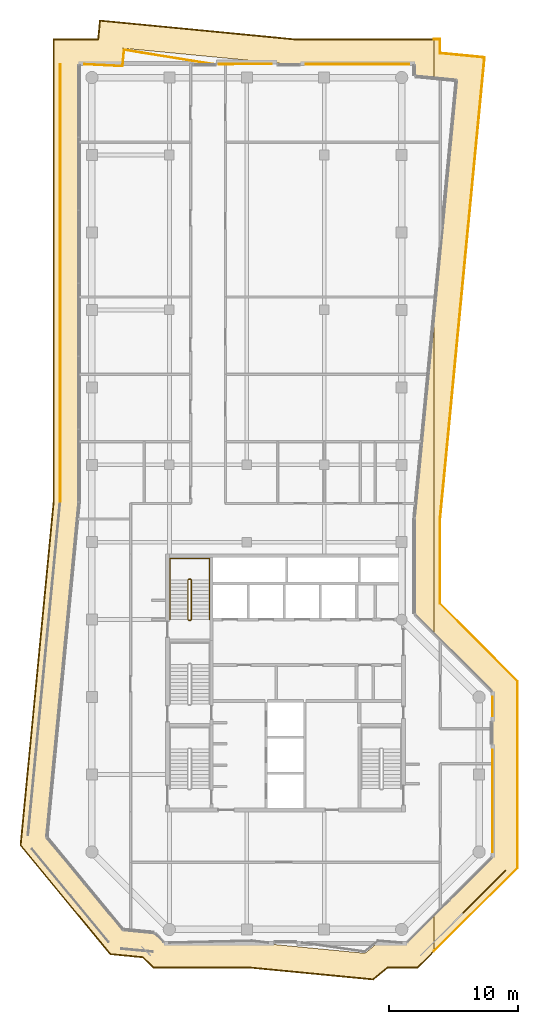
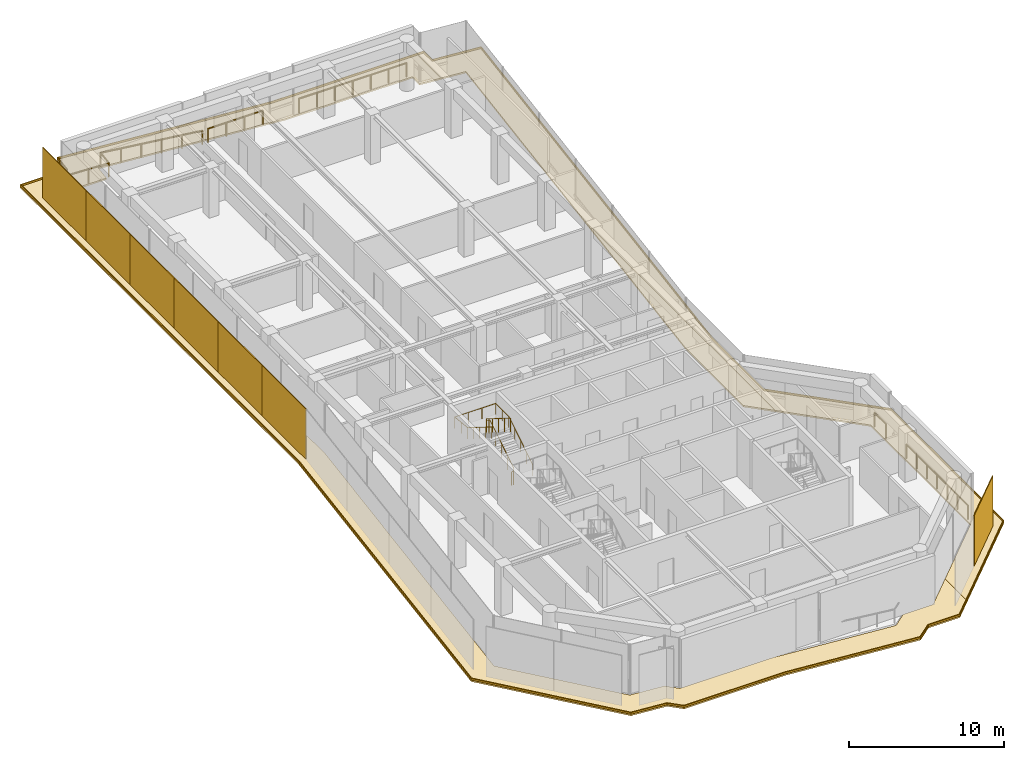
# One storey, part 25 of 25: 12 coverings, 7 railings.
"""IFC4 building model written with IfcOpenShell, lengths in metres."""

from ifc_helpers import new_model, si_unit, direction, frame, origin, origin_2d, place, context, subcontext, project, spatial, polyline, rectangle, circle, outline, extrude, material, layer, layer_set, type_object, element, save


model = new_model("IFC4")

# Units and contexts
model_context = context("Model", 3, precision=1e-05, world=origin(), true_north=direction((0.0, 1.0)))
body_context = subcontext(model_context, "Body", "Model", "MODEL_VIEW")
ifc_project = project(units=[si_unit("LENGTHUNIT", "METRE"), si_unit("AREAUNIT", "SQUARE_METRE"), si_unit("VOLUMEUNIT", "CUBIC_METRE"), si_unit("PLANEANGLEUNIT", "RADIAN"), si_unit("MASSUNIT", "GRAM", prefix="KILO")], contexts=[model_context])

# Site, building, storey
site_placement = place(None, origin())
site = spatial("IfcSite", under=ifc_project, at=site_placement, CompositionType="ELEMENT")
building_placement = place(site_placement, origin())
building = spatial("IfcBuilding", under=site, at=building_placement, Name="Welwitschia Terrace Campus", CompositionType="ELEMENT")
storey_placement = place(building_placement, frame((0.0, 0.0, 264.199951171875)))
storey = spatial("IfcBuildingStorey", under=building, at=storey_placement, Name="L58", CompositionType="ELEMENT", Elevation=264.199951171875)

# Coverings
ifc_material_1 = material(Name="Bronze mesh aluminium screen", Category="aluminium")
ifc_layer_1 = layer(ifc_material_1, 0.06005859375)
ifc_layer_set_1 = layer_set([ifc_layer_1], Name="Bronze mesh aluminium screen")
covering_type_1 = type_object("IfcCoveringType", Name="Bronze screen 60", PredefinedType="USERDEFINED", material=ifc_layer_set_1)
for number, where, z_axis, x_axis, name in (
    (1, (-2.4599609375, 60.203125, 0.0), (0.0, 0.0, 1.0), (0.0, -1.0, 0.0), "Screen L58.0.0"),
    (2, (-2.4599609375, 54.5498046875, 0.0), (0.0, 0.0, 1.0), (0.0, -1.0, 0.0), "Screen L58.0.1"),
    (3, (-2.4599609375, 48.89599609375, 0.0), (0.0, 0.0, 1.0), (0.0, -1.0, 0.0), "Screen L58.0.2"),
    (4, (-2.4599609375, 43.24267578125, 0.0), (0.0, 0.0, 1.0), (0.0, -1.0, 0.0), "Screen L58.0.3"),
    (5, (-2.4599609375, 37.589111328125, 0.0), (0.0, 0.0, 1.0), (0.0, -1.0, 0.0), "Screen L58.0.4"),
    (6, (-2.4599609375, 31.935546875, 0.0), (0.0, 0.0, 1.0), (0.0, -1.0, 0.0), "Screen L58.0.5"),
):
    element("IfcCovering", number, at=place(storey_placement, frame(where, z_axis=z_axis, x_axis=x_axis)), inside=storey, type_object=covering_type_1, Name=name, ObjectType="SCREEN", PredefinedType="USERDEFINED", context=body_context, shape_type="SweptSolid", body=[
        extrude(rectangle(XDim=5.633544921875, YDim=0.06005859375, at=origin_2d()), origin(), (0.0, 0.0, 1.0), 3.949951171875),
    ])
covering_1_placement = place(storey_placement, frame((30.390380859375, -1.088623046875, 0.0), z_axis=(0.0, 0.0, 1.0), x_axis=(0.707106781187, 0.707106781187, 0.0)))
element("IfcCovering", 7, at=covering_1_placement, inside=storey, type_object=covering_type_1, Name="Screen L58.6.1", ObjectType="SCREEN", PredefinedType="USERDEFINED", context=body_context, shape_type="SweptSolid", body=[
    extrude(rectangle(XDim=4.6494140625, YDim=0.06005859375, at=origin_2d()), origin(), (0.0, 0.0, 1.0), 3.949951171875),
])

# Railings
ifc_material_2 = material(Name="Stainless steel grade 316", Category="steel")
railing_type_1 = type_object("IfcRailingType", Name="Guard 1100", PredefinedType="GUARDRAIL", material=ifc_material_2)
railing_1_placement = place(storey_placement, frame((-0.580078125, 63.030029296875, 0.0)))
element("IfcRailing", 8, at=railing_1_placement, inside=storey, type_object=railing_type_1, Name="Guard floor edge L58.0", PredefinedType="GUARDRAIL", context=body_context, shape_type="SweptSolid", body=[
    extrude(circle(Radius=0.02392578125, at=origin_2d()), frame((0.0, 0.0, 1.076171875), z_axis=(0.998709556409, -0.05078604078, 0.0), x_axis=(0.05078604078, 0.998709556409, 0.0)), (0.0, 0.0, 1.0), 2.95654296875),
    extrude(circle(Radius=0.02392578125, at=origin_2d()), frame((2.95263671875, -0.150146484375, 1.076171875), z_axis=(0.095869821725, 0.995393880473, 0.0), x_axis=(-0.995393880473, 0.095869821725, 0.0)), (0.0, 0.0, 1.0), 1.270751953125),
    extrude(circle(Radius=0.02392578125, at=origin_2d()), frame((3.074462890625, 1.11474609375, 1.076171875), z_axis=(0.987214375663, -0.159398169641, 0.0), x_axis=(0.159398169641, 0.987214375663, 0.0)), (0.0, 0.0, 1.0), 6.993408203125),
    extrude(circle(Radius=0.02099609375, at=origin_2d()), origin(), (0.0, 0.0, 1.0), 1.052001953125),
    extrude(circle(Radius=0.02099609375, at=origin_2d()), frame((1.476318359375, -0.0751953125, 0.0)), (0.0, 0.0, 1.0), 1.052001953125),
    extrude(circle(Radius=0.02099609375, at=origin_2d()), frame((2.95263671875, -0.150146484375, 0.0)), (0.0, 0.0, 1.0), 1.052001953125),
    extrude(circle(Radius=0.02099609375, at=origin_2d()), frame((3.074462890625, 1.11474609375, 0.0)), (0.0, 0.0, 1.0), 1.052001953125),
    extrude(circle(Radius=0.02099609375, at=origin_2d()), frame((4.455322265625, 0.891845703125, 0.0)), (0.0, 0.0, 1.0), 1.052001953125),
    extrude(circle(Radius=0.02099609375, at=origin_2d()), frame((5.836181640625, 0.6689453125, 0.0)), (0.0, 0.0, 1.0), 1.052001953125),
    extrude(circle(Radius=0.02099609375, at=origin_2d()), frame((7.216796875, 0.44580078125, 0.0)), (0.0, 0.0, 1.0), 1.052001953125),
    extrude(circle(Radius=0.02099609375, at=origin_2d()), frame((8.59765625, 0.222900390625, 0.0)), (0.0, 0.0, 1.0), 1.052001953125),
    extrude(circle(Radius=0.02099609375, at=origin_2d()), frame((9.978515625, 0.0, 0.0)), (0.0, 0.0, 1.0), 1.052001953125),
])
railing_2_placement = place(storey_placement, frame((9.830078125, 63.030029296875, 0.0)))
element("IfcRailing", 9, at=railing_2_placement, inside=storey, type_object=railing_type_1, Name="Guard floor edge L58.2", PredefinedType="GUARDRAIL", context=body_context, shape_type="SweptSolid", body=[
    extrude(circle(Radius=0.02392578125, at=origin_2d()), frame((0.0, 0.0, 1.076171875), z_axis=(0.999992429042, 0.003891254064, 0.0), x_axis=(-0.003891254064, 0.999992429042, 0.0)), (0.0, 0.0, 1.0), 4.078125),
    extrude(circle(Radius=0.02099609375, at=origin_2d()), origin(), (0.0, 0.0, 1.0), 1.052001953125),
    extrude(circle(Radius=0.02099609375, at=origin_2d()), frame((1.359375, 0.00537109375, 0.0)), (0.0, 0.0, 1.0), 1.052001953125),
    extrude(circle(Radius=0.02099609375, at=origin_2d()), frame((2.71875, 0.010498046875, 0.0)), (0.0, 0.0, 1.0), 1.052001953125),
    extrude(circle(Radius=0.02099609375, at=origin_2d()), frame((4.078125, 0.015869140625, 0.0)), (0.0, 0.0, 1.0), 1.052001953125),
])
railing_3_placement = place(storey_placement, frame((16.581298828125, 63.030029296875, 0.0)))
element("IfcRailing", 10, at=railing_3_placement, inside=storey, type_object=railing_type_1, Name="Guard floor edge L58.4", PredefinedType="GUARDRAIL", context=body_context, shape_type="SweptSolid", body=[
    extrude(circle(Radius=0.02392578125, at=origin_2d()), frame((0.0, 0.0, 1.076171875), z_axis=(1.0, 0.0, 0.0), x_axis=(0.0, 1.0, 0.0)), (0.0, 0.0, 1.0), 7.998779296875),
    extrude(circle(Radius=0.02099609375, at=origin_2d()), origin(), (0.0, 0.0, 1.0), 1.052001953125),
    extrude(circle(Radius=0.02099609375, at=origin_2d()), frame((1.3330078125, 0.0, 0.0)), (0.0, 0.0, 1.0), 1.052001953125),
    extrude(circle(Radius=0.02099609375, at=origin_2d()), frame((2.666259765625, 0.0, 0.0)), (0.0, 0.0, 1.0), 1.052001953125),
    extrude(circle(Radius=0.02099609375, at=origin_2d()), frame((3.99951171875, 0.0, 0.0)), (0.0, 0.0, 1.0), 1.052001953125),
    extrude(circle(Radius=0.02099609375, at=origin_2d()), frame((5.33251953125, 0.0, 0.0)), (0.0, 0.0, 1.0), 1.052001953125),
    extrude(circle(Radius=0.02099609375, at=origin_2d()), frame((6.66552734375, 0.0, 0.0)), (0.0, 0.0, 1.0), 1.052001953125),
    extrude(circle(Radius=0.02099609375, at=origin_2d()), frame((7.998779296875, 0.0, 0.0)), (0.0, 0.0, 1.0), 1.052001953125),
])
railing_4_placement = place(storey_placement, frame((31.030029296875, 9.8896484375, 0.0)))
element("IfcRailing", 11, at=railing_4_placement, inside=storey, type_object=railing_type_1, Name="Guard floor edge L58.5", PredefinedType="GUARDRAIL", context=body_context, shape_type="SweptSolid", body=[
    extrude(circle(Radius=0.02392578125, at=origin_2d()), frame((0.0, 0.0, 1.076171875), z_axis=(0.0, -1.0, 0.0), x_axis=(1.0, 0.0, 0.0)), (0.0, 0.0, 1.0), 7.892578125),
    extrude(circle(Radius=0.02099609375, at=origin_2d()), origin(), (0.0, 0.0, 1.0), 1.052001953125),
    extrude(circle(Radius=0.02099609375, at=origin_2d()), frame((0.0, -1.3154296875, 0.0)), (0.0, 0.0, 1.0), 1.052001953125),
    extrude(circle(Radius=0.02099609375, at=origin_2d()), frame((0.0, -2.630859375, 0.0)), (0.0, 0.0, 1.0), 1.052001953125),
    extrude(circle(Radius=0.02099609375, at=origin_2d()), frame((0.0, -3.9462890625, 0.0)), (0.0, 0.0, 1.0), 1.052001953125),
    extrude(circle(Radius=0.02099609375, at=origin_2d()), frame((0.0, -5.26171875, 0.0)), (0.0, 0.0, 1.0), 1.052001953125),
    extrude(circle(Radius=0.02099609375, at=origin_2d()), frame((0.0, -6.5771484375, 0.0)), (0.0, 0.0, 1.0), 1.052001953125),
    extrude(circle(Radius=0.02099609375, at=origin_2d()), frame((0.0, -7.892578125, 0.0)), (0.0, 0.0, 1.0), 1.052001953125),
])
railing_5_placement = place(storey_placement, frame((31.030029296875, 14.0029296875, 0.0)))
element("IfcRailing", 12, at=railing_5_placement, inside=storey, type_object=railing_type_1, Name="Guard floor edge L58.6", PredefinedType="GUARDRAIL", context=body_context, shape_type="SweptSolid", body=[
    extrude(circle(Radius=0.02392578125, at=origin_2d()), frame((0.0, 0.0, 1.076171875), z_axis=(0.0, -1.0, 0.0), x_axis=(1.0, 0.0, 0.0)), (0.0, 0.0, 1.0), 1.4658203125),
    extrude(circle(Radius=0.02099609375, at=origin_2d()), origin(), (0.0, 0.0, 1.0), 1.052001953125),
    extrude(circle(Radius=0.02099609375, at=origin_2d()), frame((0.0, -1.4658203125, 0.0)), (0.0, 0.0, 1.0), 1.052001953125),
])
ifc_material_3 = material(Name="Steel S355", Category="steel")
railing_type_2 = type_object("IfcRailingType", Name="Stair guard 1100", PredefinedType="GUARDRAIL", material=ifc_material_3)
railing_6_placement = place(storey_placement, frame((7.5, 19.949951171875, 0.0)))
element("IfcRailing", 13, at=railing_6_placement, inside=storey, type_object=railing_type_2, Name="L58 S4 stair guard", PredefinedType="GUARDRAIL", context=body_context, shape_type="SweptSolid", body=[
    extrude(circle(Radius=0.02392578125, at=origin_2d()), frame((0.0, 0.0, 1.076171875), z_axis=(1.0, 0.0, 0.0), x_axis=(0.0, 1.0, 0.0)), (0.0, 0.0, 1.0), 0.14990234375),
    extrude(circle(Radius=0.02392578125, at=origin_2d()), frame((0.14990234375, 0.0, 1.076171875), z_axis=(0.265065253269, 0.265065253269, 0.927081885822), x_axis=(-0.707106781187, 0.707106781187, 0.0)), (0.0, 0.0, 1.0), 0.188720703125),
    extrude(circle(Radius=0.02392578125, at=origin_2d()), frame((0.199951171875, 0.050048828125, 1.2509765625), z_axis=(0.0, 0.847998304005, 0.529998940003), x_axis=(-1.0, 0.0, 0.0)), (0.0, 0.0, 1.0), 3.632080078125),
    extrude(circle(Radius=0.02392578125, at=origin_2d()), frame((0.199951171875, 3.130126953125, 3.17626953125), z_axis=(-0.708833529934, 0.705375805398, 0.0), x_axis=(-0.705375805398, -0.708833529934, 0.0)), (0.0, 0.0, 1.0), 0.070556640625),
    extrude(circle(Radius=0.02392578125, at=origin_2d()), frame((0.14990234375, 3.179931640625, 3.17626953125), z_axis=(-1.0, 0.0, 0.0), x_axis=(0.0, -1.0, 0.0)), (0.0, 0.0, 1.0), 0.14990234375),
    extrude(circle(Radius=0.02392578125, at=origin_2d()), frame((0.0, 3.179931640625, 3.17626953125), z_axis=(-0.265155923931, -0.263862480399, 0.927399011991), x_axis=(0.705375805398, -0.708833529934, 0.0)), (0.0, 0.0, 1.0), 0.188720703125),
    extrude(circle(Radius=0.02392578125, at=origin_2d()), frame((-0.050048828125, 3.130126953125, 3.35107421875), z_axis=(0.0, -0.848028513186, 0.529950602248), x_axis=(1.0, 0.0, 0.0)), (0.0, 0.0, 1.0), 3.632080078125),
    extrude(circle(Radius=0.02099609375, at=origin_2d()), origin(), (0.0, 0.0, 1.0), 1.052001953125),
    extrude(circle(Radius=0.02099609375, at=origin_2d()), frame((0.14990234375, 0.0, 0.0)), (0.0, 0.0, 1.0), 1.052001953125),
    extrude(circle(Radius=0.02099609375, at=origin_2d()), frame((0.199951171875, 0.050048828125, 0.175048828125)), (0.0, 0.0, 1.0), 1.052001953125),
    extrude(circle(Radius=0.02099609375, at=origin_2d()), frame((0.199951171875, 0.820068359375, 0.65625)), (0.0, 0.0, 1.0), 1.052001953125),
    extrude(circle(Radius=0.02099609375, at=origin_2d()), frame((0.199951171875, 1.590087890625, 1.1376953125)), (0.0, 0.0, 1.0), 1.052001953125),
    extrude(circle(Radius=0.02099609375, at=origin_2d()), frame((0.199951171875, 2.360107421875, 1.618896484375)), (0.0, 0.0, 1.0), 1.052001953125),
    extrude(circle(Radius=0.02099609375, at=origin_2d()), frame((0.199951171875, 3.130126953125, 2.10009765625)), (0.0, 0.0, 1.0), 1.052001953125),
    extrude(circle(Radius=0.02099609375, at=origin_2d()), frame((0.14990234375, 3.179931640625, 2.10009765625)), (0.0, 0.0, 1.0), 1.052001953125),
    extrude(circle(Radius=0.02099609375, at=origin_2d()), frame((0.0, 3.179931640625, 2.10009765625)), (0.0, 0.0, 1.0), 1.052001953125),
    extrude(circle(Radius=0.02099609375, at=origin_2d()), frame((-0.050048828125, 3.130126953125, 2.275146484375)), (0.0, 0.0, 1.0), 1.052001953125),
    extrude(circle(Radius=0.02099609375, at=origin_2d()), frame((-0.050048828125, 2.360107421875, 2.75634765625)), (0.0, 0.0, 1.0), 1.052001953125),
    extrude(circle(Radius=0.02099609375, at=origin_2d()), frame((-0.050048828125, 1.590087890625, 3.237548828125)), (0.0, 0.0, 1.0), 1.052001953125),
    extrude(circle(Radius=0.02099609375, at=origin_2d()), frame((-0.050048828125, 0.820068359375, 3.71875)), (0.0, 0.0, 1.0), 1.052001953125),
    extrude(circle(Radius=0.02099609375, at=origin_2d()), frame((-0.050048828125, 0.050048828125, 4.199951171875)), (0.0, 0.0, 1.0), 1.052001953125),
])
ifc_material_4 = material(Name="Steel S355", Category="steel")
railing_type_3 = type_object("IfcRailingType", Name="Stair handrail 900", PredefinedType="HANDRAIL", material=ifc_material_4)
railing_7_placement = place(storey_placement, frame((9.10009765625, 20.0, 0.175048828125)))
element("IfcRailing", 14, at=railing_7_placement, inside=storey, type_object=railing_type_3, Name="L58 S4 stair handrail", PredefinedType="HANDRAIL", context=body_context, shape_type="SweptSolid", body=[
    extrude(circle(Radius=0.02392578125, at=origin_2d()), frame((0.0, 0.0, 0.8759765625), z_axis=(0.0, 0.847998304005, 0.529998940003), x_axis=(-1.0, 0.0, 0.0)), (0.0, 0.0, 1.0), 3.632080078125),
    extrude(circle(Radius=0.02392578125, at=origin_2d()), frame((0.0, 3.080078125, 2.80078125), z_axis=(0.0, 1.0, 0.0), x_axis=(-1.0, 0.0, 0.0)), (0.0, 0.0, 1.0), 1.669921875),
    extrude(circle(Radius=0.02392578125, at=origin_2d()), frame((0.0, 4.75, 2.80078125), z_axis=(-1.0, 0.0, 0.0), x_axis=(0.0, -1.0, 0.0)), (0.0, 0.0, 1.0), 3.050048828125),
    extrude(circle(Radius=0.02392578125, at=origin_2d()), frame((-3.050048828125, 4.75, 2.80078125), z_axis=(0.0, -0.99455077262, 0.104253348533), x_axis=(1.0, 0.0, 0.0)), (0.0, 0.0, 1.0), 1.678955078125),
    extrude(circle(Radius=0.02392578125, at=origin_2d()), frame((-3.050048828125, 3.080078125, 2.97607421875), z_axis=(0.0, -0.848028513186, 0.529950602248), x_axis=(1.0, 0.0, 0.0)), (0.0, 0.0, 1.0), 3.632080078125),
    extrude(circle(Radius=0.02099609375, at=origin_2d()), origin(), (0.0, 0.0, 1.0), 0.851806640625),
    extrude(circle(Radius=0.02099609375, at=origin_2d()), frame((0.0, 0.77001953125, 0.481201171875)), (0.0, 0.0, 1.0), 0.851806640625),
    extrude(circle(Radius=0.02099609375, at=origin_2d()), frame((0.0, 1.5400390625, 0.96240234375)), (0.0, 0.0, 1.0), 0.851806640625),
    extrude(circle(Radius=0.02099609375, at=origin_2d()), frame((0.0, 2.31005859375, 1.44384765625)), (0.0, 0.0, 1.0), 0.851806640625),
    extrude(circle(Radius=0.02099609375, at=origin_2d()), frame((0.0, 3.080078125, 1.925048828125)), (0.0, 0.0, 1.0), 0.851806640625),
    extrude(circle(Radius=0.02099609375, at=origin_2d()), frame((0.0, 3.9150390625, 1.925048828125)), (0.0, 0.0, 1.0), 0.851806640625),
    extrude(circle(Radius=0.02099609375, at=origin_2d()), frame((0.0, 4.75, 1.925048828125)), (0.0, 0.0, 1.0), 0.851806640625),
    extrude(circle(Radius=0.02099609375, at=origin_2d()), frame((-1.0166015625, 4.75, 1.925048828125)), (0.0, 0.0, 1.0), 0.851806640625),
    extrude(circle(Radius=0.02099609375, at=origin_2d()), frame((-2.033447265625, 4.75, 1.925048828125)), (0.0, 0.0, 1.0), 0.851806640625),
    extrude(circle(Radius=0.02099609375, at=origin_2d()), frame((-3.050048828125, 4.75, 1.925048828125)), (0.0, 0.0, 1.0), 0.851806640625),
    extrude(circle(Radius=0.02099609375, at=origin_2d()), frame((-3.050048828125, 3.9150390625, 2.0126953125)), (0.0, 0.0, 1.0), 0.851806640625),
    extrude(circle(Radius=0.02099609375, at=origin_2d()), frame((-3.050048828125, 3.080078125, 2.10009765625)), (0.0, 0.0, 1.0), 0.851806640625),
    extrude(circle(Radius=0.02099609375, at=origin_2d()), frame((-3.050048828125, 2.31005859375, 2.581298828125)), (0.0, 0.0, 1.0), 0.851806640625),
    extrude(circle(Radius=0.02099609375, at=origin_2d()), frame((-3.050048828125, 1.5400390625, 3.0625)), (0.0, 0.0, 1.0), 0.851806640625),
    extrude(circle(Radius=0.02099609375, at=origin_2d()), frame((-3.050048828125, 0.77001953125, 3.543701171875)), (0.0, 0.0, 1.0), 0.851806640625),
    extrude(circle(Radius=0.02099609375, at=origin_2d()), frame((-3.050048828125, 0.0, 4.02490234375)), (0.0, 0.0, 1.0), 0.851806640625),
])

# Coverings
ifc_material_5 = material(Name="Bronze anodised aluminium", Category="aluminium")
ifc_layer_2 = layer(ifc_material_5, 0.1201171875)
ifc_layer_set_2 = layer_set([ifc_layer_2], Name="Bronze anodised aluminium")
covering_type_2 = type_object("IfcCoveringType", Name="Sunshade band 2000", PredefinedType="USERDEFINED", material=ifc_layer_set_2)
covering_2_placement = place(storey_placement, frame((0.0, 0.0, -0.25)))
element("IfcCovering", 15, at=covering_2_placement, inside=storey, type_object=covering_type_2, Name="SUNSHADE L58.SW0", ObjectType="SUNSHADE", PredefinedType="USERDEFINED", context=body_context, shape_type="SweptSolid", body=[
    extrude(outline(polyline([(0.587158203125, 66.458251953125), (15.731689453125, 65.0), (26.5, 65.0), (26.5, 61.953857421875), (25.0, 62.098388671875), (25.0, 63.0), (15.635498046875, 63.0), (2.38623046875, 64.27587890625), (2.263427734375, 63.0), (-1.0, 63.0), (-1.0, 29.107421875), (-3.5, 3.144287109375), (2.42431640625, -4.04248046875), (4.863037109375, -4.277099609375), (5.585693359375, -5.0), (12.369384765625, -5.0), (21.166015625, -5.846923828125), (22.193603515625, -5.0), (24.414306640625, -5.0), (26.5, -2.914306640625), (26.5, -5.74267578125), (25.24267578125, -7.0), (22.91162109375, -7.0), (21.799072265625, -7.917236328125), (12.273193359375, -7.0), (4.75732421875, -7.0), (3.95654296875, -6.19921875), (1.407958984375, -5.953857421875), (-5.570068359375, 2.511474609375), (-3.0, 29.203369140625), (-3.0, 65.0), (0.44677734375, 65.0), (0.587158203125, 66.458251953125)])), origin(), (0.0, 0.0, 1.0), 0.1201171875),
])
covering_3_placement = place(storey_placement, frame((0.0, 0.0, -0.25)))
element("IfcCovering", 16, at=covering_3_placement, inside=storey, type_object=covering_type_2, Name="SUNSHADE L58.SW1", ObjectType="SUNSHADE", PredefinedType="USERDEFINED", context=body_context, shape_type="SweptSolid", body=[
    extrude(outline(polyline([(25.0, 20.414306640625), (25.0, 27.8583984375), (26.5, 43.43701171875), (26.5, 18.914306640625), (25.0, 20.414306640625)])), origin(), (0.0, 0.0, 1.0), 0.1201171875),
])
covering_4_placement = place(storey_placement, frame((0.0, 0.0, -0.25)))
element("IfcCovering", 17, at=covering_4_placement, inside=storey, type_object=covering_type_2, Name="SUNSHADE L58.SE0", ObjectType="SUNSHADE", PredefinedType="USERDEFINED", context=body_context, shape_type="SweptSolid", body=[
    extrude(outline(polyline([(27.0, 65.0), (27.0, 63.9150390625), (30.44921875, 63.5830078125), (27.0, 27.762451171875), (27.0, 21.24267578125), (33.0, 15.24267578125), (33.0, 0.75732421875), (26.5, -5.74267578125), (26.5, -2.914306640625), (31.0, 1.585693359375), (31.0, 14.414306640625), (26.5, 18.914306640625), (26.5, 43.43701171875), (28.2666015625, 61.78369140625), (26.5, 61.953857421875), (26.5, 65.0), (27.0, 65.0)])), origin(), (0.0, 0.0, 1.0), 0.1201171875),
])
ifc_material_6 = material(Name="Bronze anodised aluminium", Category="aluminium")
ifc_layer_3 = layer(ifc_material_6, 0.06005859375)
ifc_layer_set_3 = layer_set([ifc_layer_3], Name="Bronze anodised aluminium")
covering_type_3 = type_object("IfcCoveringType", Name="Sunshade lip 60", PredefinedType="USERDEFINED", material=ifc_layer_set_3)
covering_5_placement = place(storey_placement, frame((0.0, 0.0, -0.1298828125)))
element("IfcCovering", 18, at=covering_5_placement, inside=storey, type_object=covering_type_3, Name="SUNSHADE LIP L58.SW0.0", ObjectType="SUNSHADE", PredefinedType="USERDEFINED", context=body_context, shape_type="SweptSolid", body=[
    extrude(outline(polyline([(15.731689453125, 65.0), (26.5, 65.0), (26.5, 64.93994140625), (15.728759765625, 64.93994140625), (0.64111328125, 66.392822265625), (0.501220703125, 64.93994140625), (-2.93994140625, 64.93994140625), (-2.93994140625, 29.200439453125), (-5.508056640625, 2.5302734375), (1.4384765625, -5.896484375), (3.98388671875, -6.1416015625), (4.7822265625, -6.93994140625), (12.276123046875, -6.93994140625), (21.780029296875, -7.85498046875), (22.89013671875, -6.93994140625), (25.2177734375, -6.93994140625), (26.5, -5.65771484375), (26.5, -5.74267578125), (25.24267578125, -7.0), (22.91162109375, -7.0), (21.799072265625, -7.917236328125), (12.273193359375, -7.0), (4.75732421875, -7.0), (3.95654296875, -6.19921875), (1.407958984375, -5.953857421875), (-5.570068359375, 2.511474609375), (-3.0, 29.203369140625), (-3.0, 65.0), (0.44677734375, 65.0), (0.587158203125, 66.458251953125), (15.731689453125, 65.0)])), origin(), (0.0, 0.0, 1.0), 0.1298828125),
])
covering_6_placement = place(storey_placement, frame((0.0, 0.0, -0.1298828125)))
element("IfcCovering", 19, at=covering_6_placement, inside=storey, type_object=covering_type_3, Name="SUNSHADE LIP L58.SE0.0", ObjectType="SUNSHADE", PredefinedType="USERDEFINED", context=body_context, shape_type="SweptSolid", body=[
    extrude(outline(polyline([(27.0, 63.9150390625), (30.44921875, 63.5830078125), (27.0, 27.762451171875), (27.0, 21.24267578125), (33.0, 15.24267578125), (33.0, 0.75732421875), (26.5, -5.74267578125), (26.5, -5.65771484375), (32.93994140625, 0.7822265625), (32.93994140625, 15.2177734375), (26.93994140625, 21.2177734375), (26.93994140625, 27.765380859375), (30.383544921875, 63.52880859375), (26.93994140625, 63.860595703125), (26.93994140625, 64.93994140625), (26.5, 64.93994140625), (26.5, 65.0), (27.0, 65.0), (27.0, 63.9150390625)])), origin(), (0.0, 0.0, 1.0), 0.1298828125),
])

save(model, "model.ifc")
